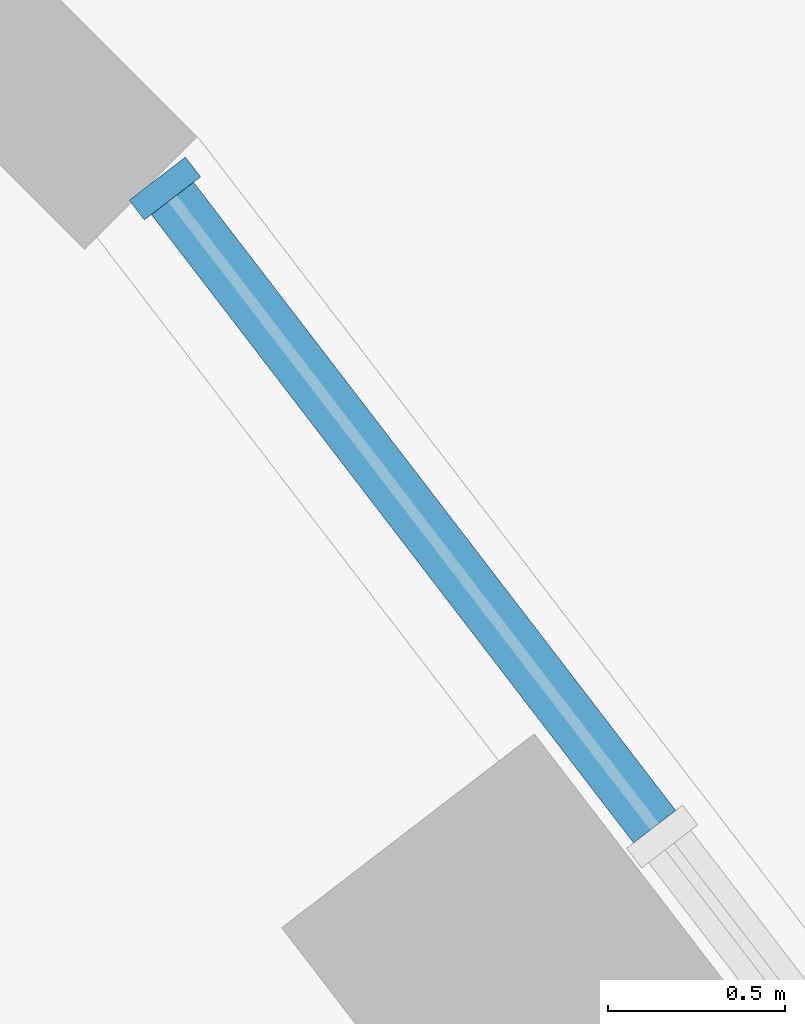
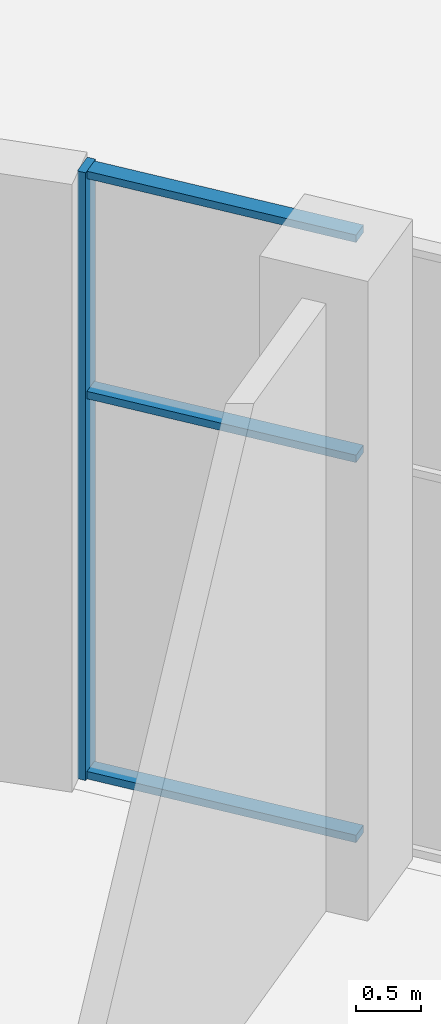
# One storey, part 3 of 19: 4 members, 1 element without a shape of its own.
"""IFC4 building model written with IfcOpenShell, lengths in metres."""

from ifc_helpers import new_model, si_unit, direction, frame, origin, origin_2d, place, context, subcontext, project, spatial, rectangle, extrude, material, material_profile, profile_set, type_object, element, aggregate, save


model = new_model("IFC4")

# Units and contexts
model_context = context("Model", 3, precision=1e-05, world=origin(), true_north=direction((0.0, 1.0)))
body_context = subcontext(model_context, "Body", "Model", "MODEL_VIEW")
ifc_project = project(units=[si_unit("LENGTHUNIT", "METRE"), si_unit("AREAUNIT", "SQUARE_METRE"), si_unit("VOLUMEUNIT", "CUBIC_METRE"), si_unit("PLANEANGLEUNIT", "RADIAN"), si_unit("MASSUNIT", "GRAM", prefix="KILO")], contexts=[model_context])

# Site, building, storey
site_placement = place(None, origin())
site = spatial("IfcSite", under=ifc_project, at=site_placement, CompositionType="ELEMENT")
building_placement = place(site_placement, origin())
building = spatial("IfcBuilding", under=site, at=building_placement, Name="Golbaran Civic Tower", CompositionType="ELEMENT")
storey_placement = place(building_placement, origin())
storey = spatial("IfcBuildingStorey", under=building, at=storey_placement, Name="L00", CompositionType="ELEMENT", Elevation=0.0)

# Curtain wall, members
ifc_material_1 = material(Name="Aluminium and glass", Category="aluminium")
curtain_wall_type = type_object("IfcCurtainWallType", Name="PODIUM GLAZED SCREEN", PredefinedType="NOTDEFINED", material=ifc_material_1)
curtain_wall_placement = place(storey_placement, origin())
curtain_wall = element("IfcCurtainWall", 1, at=curtain_wall_placement, inside=storey, type_object=curtain_wall_type, Name="Public service hall screen facet 5 CW5", ObjectType="PODIUM SCREEN", PredefinedType="USERDEFINED")
ifc_material_2 = material(Name="Aluminium", Category="aluminium")
ifc_material_profile_1 = material_profile(ifc_material_2, rectangle(XDim=0.199951171875, YDim=0.070068359375, at=origin_2d()), Name="PODIUM GLAZED SCREEN MULLION")
ifc_profile_set_1 = profile_set([ifc_material_profile_1], Name="Aluminium")
member_type_1 = type_object("IfcMemberType", Name="PODIUM GLAZED SCREEN MULLION", PredefinedType="MULLION", material=ifc_profile_set_1)
member_1_placement = place(storey_placement, frame((26.96484375, 23.60107421875, 0.0), z_axis=(0.0, 0.0, 1.0), x_axis=(-0.793353340238, -0.608761429078, 0.0)))
member_1 = element("IfcMember", 2, at=member_1_placement, type_object=member_type_1, Name="CW5 mullion 3", PredefinedType="MULLION", context=body_context, shape_type="SweptSolid", body=[
    extrude(rectangle(XDim=0.199951171875, YDim=0.070068359375, at=origin_2d()), origin(), (0.0, 0.0, 1.0), 5.699951171875),
])
ifc_material_profile_2 = material_profile(ifc_material_2, rectangle(XDim=0.14990234375, YDim=0.070068359375, at=origin_2d()), Name="PODIUM GLAZED SCREEN TRANSOM")
ifc_profile_set_2 = profile_set([ifc_material_profile_2], Name="Aluminium")
member_type_2 = type_object("IfcMemberType", Name="PODIUM GLAZED SCREEN TRANSOM", PredefinedType="USERDEFINED", material=ifc_profile_set_2)
member_2_placement = place(storey_placement, frame((28.34912109375, 21.797119140625, 0.034912109375), z_axis=(-0.608809209153, 0.793316675011, 0.0), x_axis=(-0.793316675011, -0.608809209153, 0.0)))
member_2 = element("IfcMember", 3, at=member_2_placement, type_object=member_type_2, Name="CW5 transom 2.1", ObjectType="TRANSOM", PredefinedType="USERDEFINED", context=body_context, shape_type="SweptSolid", body=[
    extrude(rectangle(XDim=0.14990234375, YDim=0.070068359375, at=origin_2d()), origin(), (0.0, 0.0, 1.0), 2.23876953125),
])
member_3_placement = place(storey_placement, frame((28.34912109375, 21.797119140625, 3.60009765625), z_axis=(-0.608809209153, 0.793316675011, 0.0), x_axis=(-0.793316675011, -0.608809209153, 0.0)))
member_3 = element("IfcMember", 4, at=member_3_placement, type_object=member_type_2, Name="CW5 transom 2.2", ObjectType="TRANSOM", PredefinedType="USERDEFINED", context=body_context, shape_type="SweptSolid", body=[
    extrude(rectangle(XDim=0.14990234375, YDim=0.070068359375, at=origin_2d()), origin(), (0.0, 0.0, 1.0), 2.23876953125),
])
member_4_placement = place(storey_placement, frame((28.34912109375, 21.797119140625, 5.6650390625), z_axis=(-0.608809209153, 0.793316675011, 0.0), x_axis=(-0.793316675011, -0.608809209153, 0.0)))
member_4 = element("IfcMember", 5, at=member_4_placement, type_object=member_type_2, Name="CW5 transom 2.3", ObjectType="TRANSOM", PredefinedType="USERDEFINED", context=body_context, shape_type="SweptSolid", body=[
    extrude(rectangle(XDim=0.14990234375, YDim=0.070068359375, at=origin_2d()), origin(), (0.0, 0.0, 1.0), 2.23876953125),
])
aggregate(curtain_wall, [member_1, member_2, member_3, member_4])

save(model, "model.ifc")
